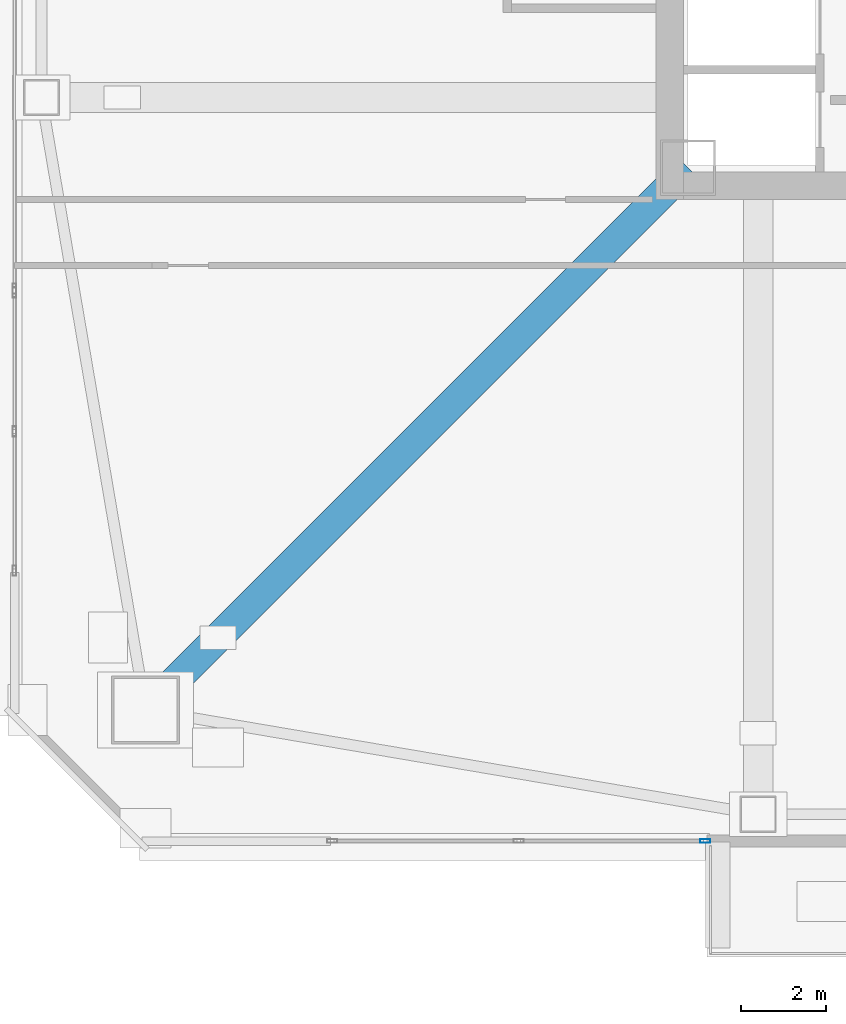
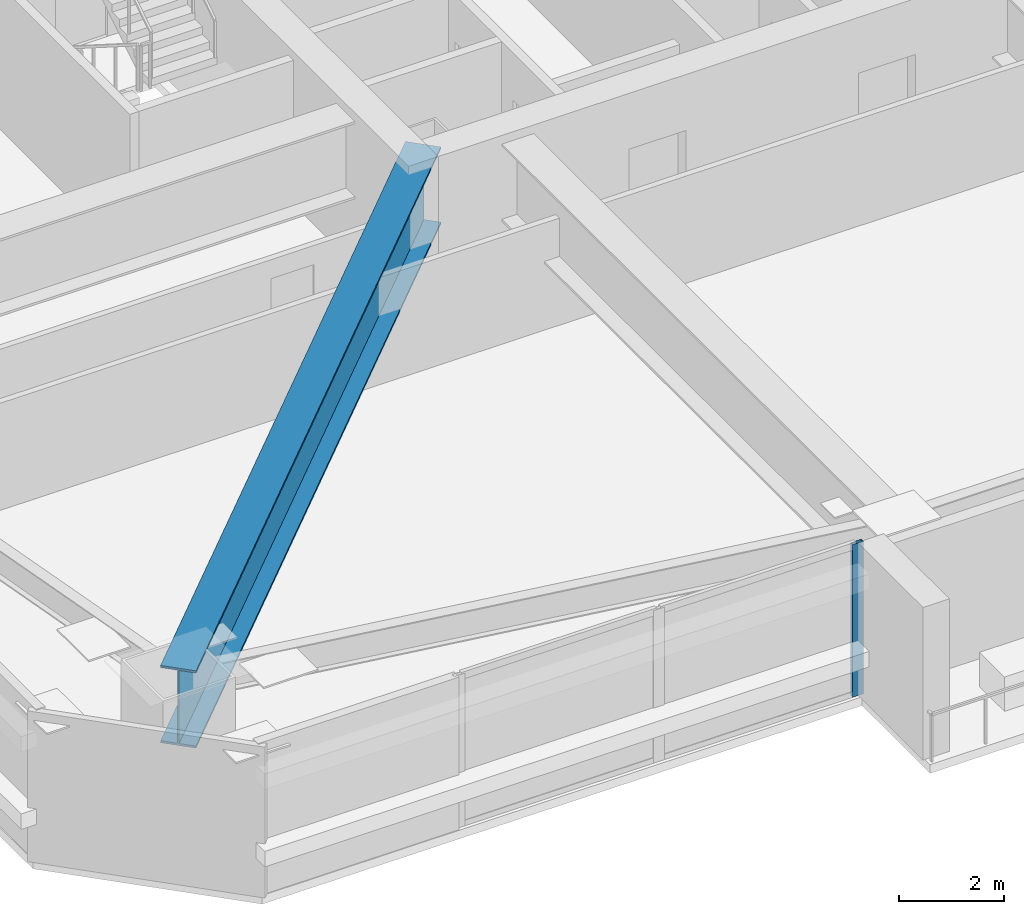
# One storey, part 4 of 48: 1 beam, 1 member, 1 element without a shape of its own.
"""IFC4 building model written with IfcOpenShell, lengths in metres."""

import ifcopenshell
import ifcopenshell.guid

model = None  # the IFC model being written
_history = None  # IfcOwnerHistory: only IFC2X3 demands one
_inside = {}  # id of a spatial element -> (the spatial element, [elements in it])
_under = {}  # id of a project, library or spatial element -> (it, [spatial elements below it])
_declared = {}  # id of a project -> (the project, [libraries it declares])
_typed = {}  # id of a type object -> (the type object, [elements of that type])
_made_of = {}  # id of a material, layer set ... -> (it, [elements and type objects made of it])


def new_model(schema):
    """Start an empty IFC model of exactly this schema.

    Asked for "IFC4X3", IfcOpenShell would pick the latest addendum, in which some entities
    have other attributes; the version numbers below select the first issue.
    IFC2X3 requires an IfcOwnerHistory on every rooted entity: one is made here for all.
    """
    global model, _history
    if schema == "IFC4X3":
        model = ifcopenshell.file(schema_version=(4, 3, 0, 0))
    else:
        model = ifcopenshell.file(schema=schema)
    _inside.clear()
    _under.clear()
    _declared.clear()
    _typed.clear()
    _made_of.clear()
    _history = None
    if model.schema == "IFC2X3":
        org = make("IfcOrganization", Name="unknown")
        user = make(
            "IfcPersonAndOrganization",
            ThePerson=make("IfcPerson", FamilyName="unknown"),
            TheOrganization=org,
        )
        app = make(
            "IfcApplication",
            ApplicationDeveloper=org,
            Version="unknown",
            ApplicationFullName="unknown",
            ApplicationIdentifier="unknown",
        )
        _history = make(
            "IfcOwnerHistory",
            OwningUser=user,
            OwningApplication=app,
            ChangeAction="ADDED",
            CreationDate=0,
        )
    return model


def make(cls, **values):
    """One entity of the class cls with the attributes given. An attribute that is None is left unset."""
    return model.create_entity(
        cls, **{name: value for name, value in values.items() if value is not None}
    )


def rooted(cls, **values):
    """An entity with a GlobalId (a new one), such as an element, a storey or a relation."""
    return make(cls, GlobalId=ifcopenshell.guid.new(), OwnerHistory=_history, **values)


def si_unit(unit_type, name, prefix=None):
    """IfcSIUnit, for example si_unit("LENGTHUNIT", "METRE", prefix="MILLI")."""
    return make("IfcSIUnit", UnitType=unit_type, Prefix=prefix, Name=name)


def assignment(units):
    """IfcUnitAssignment: the units of a project."""
    return None if units is None else make("IfcUnitAssignment", Units=units)


def point(xyz):
    """IfcCartesianPoint."""
    return None if xyz is None else make("IfcCartesianPoint", Coordinates=xyz)


def direction(xyz):
    """IfcDirection."""
    return None if xyz is None else make("IfcDirection", DirectionRatios=xyz)


def frame(location, z_axis=None, x_axis=None):
    """IfcAxis2Placement3D, a coordinate frame: its origin and axes. An axis left out is left unset."""
    return make(
        "IfcAxis2Placement3D",
        Location=point(location),
        Axis=direction(z_axis),
        RefDirection=direction(x_axis),
    )


def frame_2d(location, x_axis=None):
    """IfcAxis2Placement2D, a coordinate frame in the plane: its origin and x axis."""
    return make(
        "IfcAxis2Placement2D", Location=point(location), RefDirection=direction(x_axis)
    )


def origin():
    """The frame at (0, 0, 0) with its axes left unset."""
    return frame((0.0, 0.0, 0.0))


def origin_2d():
    """The frame at (0, 0) in the plane with its x axis left unset."""
    return frame_2d((0.0, 0.0))


def place(relative_to, where):
    """IfcLocalPlacement: puts the frame where relative to a parent placement (None: the world)."""
    return make(
        "IfcLocalPlacement", PlacementRelTo=relative_to, RelativePlacement=where
    )


def context(
    kind, dimensions, precision=None, world=None, true_north=None, identifier=None
):
    """IfcGeometricRepresentationContext, for example the 3D "Model" context."""
    return make(
        "IfcGeometricRepresentationContext",
        ContextIdentifier=identifier,
        ContextType=kind,
        CoordinateSpaceDimension=dimensions,
        Precision=precision,
        WorldCoordinateSystem=world,
        TrueNorth=true_north,
    )


def subcontext(parent, identifier, kind, view, scale=None):
    """IfcGeometricRepresentationSubContext, for example "Body" below "Model"."""
    return make(
        "IfcGeometricRepresentationSubContext",
        ContextIdentifier=identifier,
        ContextType=kind,
        ParentContext=parent,
        TargetScale=scale,
        TargetView=view,
    )


def project(units=None, contexts=None):
    """IfcProject with its units and contexts."""
    return rooted(
        "IfcProject",
        Name="project",
        RepresentationContexts=contexts,
        UnitsInContext=assignment(units),
    )


def spatial(cls, under=None, at=None, **own):
    """A site, building, storey or space (cls), placed at a placement, below another one or the project."""
    s = rooted(cls, ObjectPlacement=at, **own)
    if under is not None:
        _under.setdefault(under.id(), (under, []))[1].append(s)
    return s


def profile(cls, at=None, kind="AREA", **sizes):
    """A parametric profile (cls). Its sizes go by their IFC names, for example OverallWidth=200.0."""
    return make(cls, ProfileType=kind, Position=at, **sizes)


def hollow_rectangle(**sizes):
    """IfcRectangleHollowProfileDef."""
    return profile("IfcRectangleHollowProfileDef", **sizes)


def i_section(**sizes):
    """IfcIShapeProfileDef."""
    return profile("IfcIShapeProfileDef", **sizes)


def extrude(swept, where, along, depth):
    """IfcExtrudedAreaSolid: the profile swept, set in the frame where, extruded along a direction by depth."""
    return make(
        "IfcExtrudedAreaSolid",
        SweptArea=swept,
        Position=where,
        ExtrudedDirection=direction(along),
        Depth=depth,
    )


def shape(context_of_items, identifier, shape_type, items):
    """IfcShapeRepresentation: the items that make up one representation, for example the "Body"."""
    return make(
        "IfcShapeRepresentation",
        ContextOfItems=context_of_items,
        RepresentationIdentifier=identifier,
        RepresentationType=shape_type,
        Items=items,
    )


def material(Name=None, Category=None):
    """IfcMaterial."""
    return make("IfcMaterial", Name=Name, Category=Category)


def material_profile(
    of_material, cross_section, Name=None, Category=None, Priority=None
):
    """IfcMaterialProfile: a cross section and its material."""
    return make(
        "IfcMaterialProfile",
        Name=Name,
        Material=of_material,
        Profile=cross_section,
        Priority=Priority,
        Category=Category,
    )


def profile_set(profiles, Name=None, composite=None):
    """IfcMaterialProfileSet."""
    return make(
        "IfcMaterialProfileSet",
        Name=Name,
        MaterialProfiles=profiles,
        CompositeProfile=composite,
    )


def made_of(thing, what):
    """Note that an element or type object is made of a material, layer set ...; save() writes the relation."""
    if what is not None:
        _made_of.setdefault(what.id(), (what, []))[1].append(thing)
    return thing


def type_object(cls, material=None, **own):
    """A type object (cls), such as IfcWallType, which elements share."""
    return made_of(rooted(cls, **own), material)


def element(
    cls,
    number,
    at=None,
    inside=None,
    cuts=None,
    type_object=None,
    material=None,
    context=None,
    identifier="Body",
    shape_type=None,
    held_by="IfcProductDefinitionShape",
    body=None,
    shapes=None,
    **own,
):
    """One element of the class cls, such as IfcWall. Its Tag is "e" and its number.

    at: its placement. inside: the storey or other place that contains it. cuts: it is an
    opening in that element (IfcRelVoidsElement). A single representation is given by context,
    identifier, shape_type and body (its items); several are given by shapes. held_by: the class
    of the entity that holds the representations. save() writes the other relations.
    """
    e = rooted(cls, Tag="e%d" % number, ObjectPlacement=at, **own)
    if body is not None:
        shapes = [shape(context, identifier, shape_type, body)]
    if shapes is not None:
        e.Representation = make(held_by, Representations=shapes)
    if inside is not None:
        _inside.setdefault(inside.id(), (inside, []))[1].append(e)
    if cuts is not None:
        rooted(
            "IfcRelVoidsElement", RelatingBuildingElement=cuts, RelatedOpeningElement=e
        )
    if type_object is not None:
        _typed.setdefault(type_object.id(), (type_object, []))[1].append(e)
    return made_of(e, material)


def aggregate(whole, parts):
    """IfcRelAggregates: a whole, such as a stair, and the parts it consists of."""
    return rooted("IfcRelAggregates", RelatingObject=whole, RelatedObjects=parts)


def save(model, path):
    """Write the relations noted so far, then the file.

    IfcRelAggregates (storeys below a building ...), IfcRelContainedInSpatialStructure (elements
    in a storey), IfcRelDefinesByType, IfcRelAssociatesMaterial and IfcRelDeclares: one each for
    every whole, place, type object, material and project.
    """
    for whole, parts in _under.values():
        aggregate(whole, parts)
    for where, things in _inside.values():
        rooted(
            "IfcRelContainedInSpatialStructure",
            RelatedElements=things,
            RelatingStructure=where,
        )
    for kind, things in _typed.values():
        rooted("IfcRelDefinesByType", RelatedObjects=things, RelatingType=kind)
    for what, things in _made_of.values():
        rooted("IfcRelAssociatesMaterial", RelatedObjects=things, RelatingMaterial=what)
    for by, libraries in _declared.values():
        rooted("IfcRelDeclares", RelatingContext=by, RelatedDefinitions=libraries)
    model.write(path)


model = new_model("IFC4")

# Units and contexts
model_context = context("Model", 3, precision=1e-05, world=origin(), true_north=direction((0.0, 1.0)))
body_context = subcontext(model_context, "Body", "Model", "MODEL_VIEW")
ifc_project = project(units=[si_unit("LENGTHUNIT", "METRE"), si_unit("AREAUNIT", "SQUARE_METRE"), si_unit("VOLUMEUNIT", "CUBIC_METRE"), si_unit("PLANEANGLEUNIT", "RADIAN"), si_unit("MASSUNIT", "GRAM", prefix="KILO")], contexts=[model_context])

# Site, building, storey
site_placement = place(None, origin())
site = spatial("IfcSite", under=ifc_project, at=site_placement, CompositionType="ELEMENT")
building_placement = place(site_placement, origin())
building = spatial("IfcBuilding", under=site, at=building_placement, Name="Tashvorn Skyway Center", CompositionType="ELEMENT")
storey_placement = place(building_placement, frame((0.0, 0.0, 63.64990234375)))
storey = spatial("IfcBuildingStorey", under=building, at=storey_placement, Name="L16", CompositionType="ELEMENT", Elevation=63.64990234375)

# Beam
ifc_material_1 = material(Name="Steel ASTM A572 Grade 50", Category="steel")
ifc_material_profile_1 = material_profile(ifc_material_1, i_section(OverallWidth=0.699951171875, OverallDepth=1.800048828125, WebThickness=0.031982421875, FlangeThickness=0.050048828125, at=origin_2d()), Name="PG1800x700")
ifc_profile_set_1 = profile_set([ifc_material_profile_1], Name="Steel ASTM A572 Grade 50")
beam_type = type_object("IfcBeamType", Name="BM-BEAM-PG1800x700", PredefinedType="BEAM", material=ifc_profile_set_1)
beam_placement = place(storey_placement, frame((22.199951171875, 12.199951171875, 2.4501953125), z_axis=(0.707106781187, 0.707106781187, 0.0), x_axis=(-0.707106781187, 0.707106781187, 0.0)))
element("IfcBeam", 1, at=beam_placement, inside=storey, type_object=beam_type, Name="Tower 1 L16 Setback Transfer Girder MC-SW", PredefinedType="BEAM", context=body_context, shape_type="SweptSolid", body=[
    extrude(i_section(OverallWidth=0.699951171875, OverallDepth=1.800048828125, WebThickness=0.031982421875, FlangeThickness=0.050048828125, at=origin_2d()), origin(), (0.0, 0.0, 1.0), 18.03125),
])

# Curtain wall, member
ifc_material_2 = material(Name="Thermally broken bronze-anodized aluminium 6063-T6", Category="aluminium")
curtain_wall_type = type_object("IfcCurtainWallType", Name="CW-CW-Z1", PredefinedType="NOTDEFINED", material=ifc_material_2)
curtain_wall_placement = place(storey_placement, origin())
curtain_wall = element("IfcCurtainWall", 2, at=curtain_wall_placement, inside=storey, type_object=curtain_wall_type, Name="Tower 1 L16 South Curtain Wall R Glazing Group 1", PredefinedType="NOTDEFINED")
ifc_material_profile_2 = material_profile(ifc_material_2, hollow_rectangle(XDim=0.0849609375, YDim=0.239990234375, WallThickness=0.0048828125, at=origin_2d()), Name="ALU-MULL-85x240")
ifc_profile_set_2 = profile_set([ifc_material_profile_2], Name="Thermally broken bronze-anodized aluminium 6063-T6")
member_type = type_object("IfcMemberType", Name="CWM-CW-Z1", PredefinedType="MULLION", material=ifc_profile_set_2)
member_placement = place(storey_placement, frame((35.357421875, 9.1201171875, 0.0), z_axis=(0.0, 0.0, 1.0), x_axis=(0.0, -1.0, 0.0)))
member = element("IfcMember", 3, at=member_placement, type_object=member_type, Name="CW-Z1 mullion 1", PredefinedType="MULLION", context=body_context, shape_type="SweptSolid", body=[
    extrude(hollow_rectangle(XDim=0.0849609375, YDim=0.239990234375, WallThickness=0.0048828125, at=origin_2d()), origin(), (0.0, 0.0, 1.0), 3.550048828125),
])
aggregate(curtain_wall, [member])

save(model, "model.ifc")
